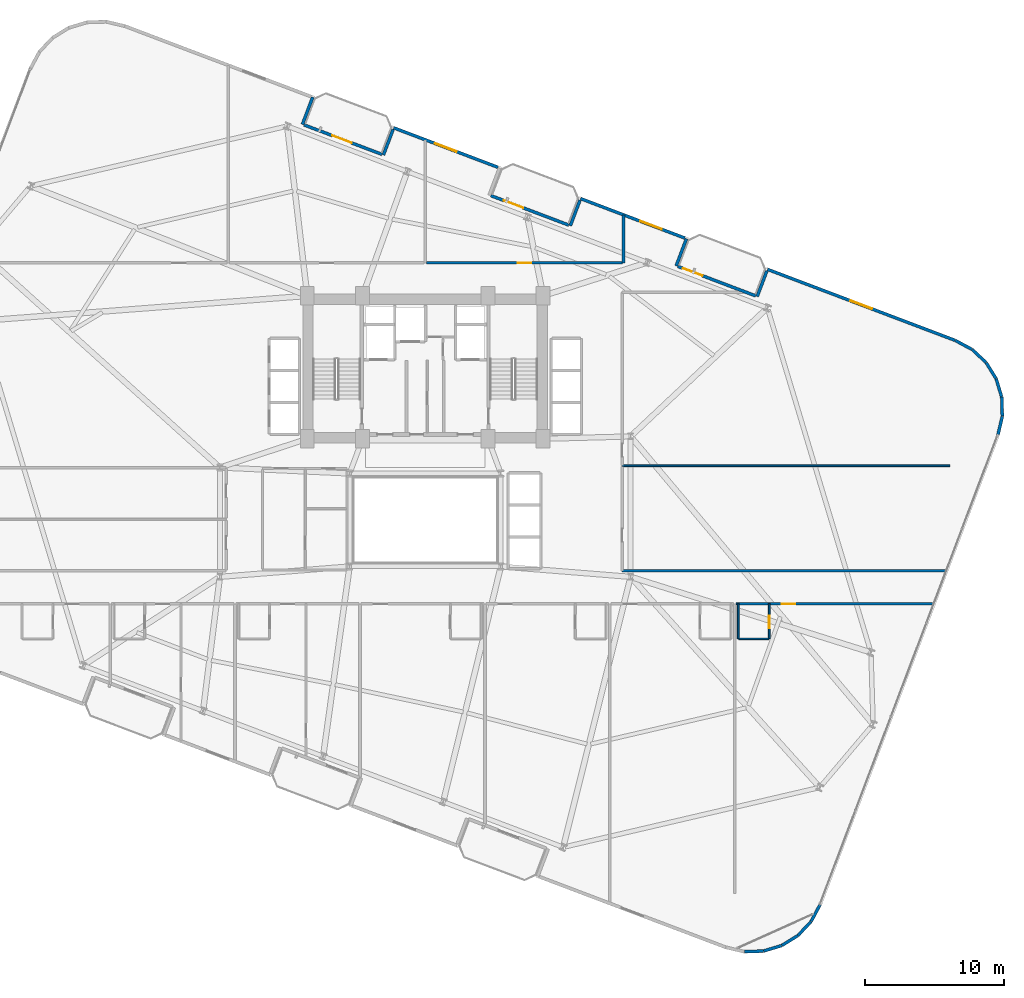
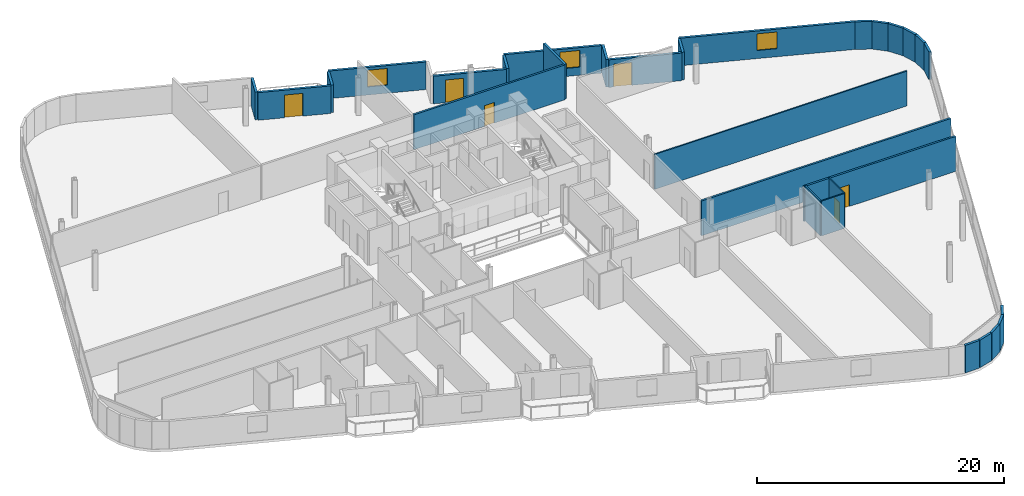
# One storey, part 21 of 25: 30 walls, 6 doors, 3 windows, 9 openings.
"""IFC4 building model written with IfcOpenShell, lengths in metres."""

from ifc_helpers import new_model, si_unit, direction, frame, frame_2d, origin, place, context, subcontext, project, spatial, rectangle, extrude, material, layer, layer_set, type_object, element, fill, save


model = new_model("IFC4")

# Units and contexts
model_context = context("Model", 3, precision=1e-05, world=origin(), true_north=direction((0.0, 1.0)))
body_context = subcontext(model_context, "Body", "Model", "MODEL_VIEW")
ifc_project = project(units=[si_unit("LENGTHUNIT", "METRE"), si_unit("AREAUNIT", "SQUARE_METRE"), si_unit("VOLUMEUNIT", "CUBIC_METRE"), si_unit("PLANEANGLEUNIT", "RADIAN"), si_unit("MASSUNIT", "GRAM", prefix="KILO")], contexts=[model_context])

# Site, building, storey
site_placement = place(None, origin())
site = spatial("IfcSite", under=ifc_project, at=site_placement, CompositionType="ELEMENT")
building_placement = place(site_placement, origin())
building = spatial("IfcBuilding", under=site, at=building_placement, Name="Varnelok Gate Tower", CompositionType="ELEMENT")
storey_placement = place(building_placement, frame((0.0, 0.0, 76.199951171875)))
storey = spatial("IfcBuildingStorey", under=building, at=storey_placement, Name="L18", CompositionType="ELEMENT", Elevation=76.199951171875)

# Wall, opening, door
ifc_material_1 = material(Name="Concrete C45/55", Category="concrete")
ifc_layer_1 = layer(ifc_material_1, 0.219970703125)
ifc_layer_set_1 = layer_set([ifc_layer_1], Name="Concrete C45/55")
wall_type_1 = type_object("IfcWallType", Name="EW-BALC-220", PredefinedType="SOLIDWALL", material=ifc_layer_set_1)
wall_1_placement = place(storey_placement, frame((30.465087890625, 51.37158203125, 0.0), z_axis=(0.0, 0.0, 1.0), x_axis=(0.935227640088, -0.354046976001, 0.0)))
wall_1 = element("IfcWall", 1, at=wall_1_placement, inside=storey, type_object=wall_type_1, Name="L18 North Terrace Envelope Wall 4", PredefinedType="SOLIDWALL", context=body_context, shape_type="SweptSolid", body=[
    extrude(rectangle(XDim=6.0, YDim=0.219970703125, at=frame_2d((3.0, 0.0))), origin(), (0.0, 0.0, 1.0), 2.72998046875),
])
opening_1_placement = place(wall_1_placement, frame((2.176025390625, 0.0, 0.0)))
opening_1 = element("IfcOpeningElement", 2, at=opening_1_placement, cuts=wall_1, Name="Opening BD-1", PredefinedType="OPENING", context=body_context, shape_type="SweptSolid", body=[
    extrude(rectangle(XDim=1.5, YDim=2.25, at=frame_2d((0.75, 1.125))), frame((0.0, 0.119873046875, 0.0), z_axis=(0.0, -1.0, 0.0), x_axis=(1.0, 0.0, 0.0)), (0.0, 0.0, 1.0), 0.239990234375),
])
ifc_material_2 = material(Name="Anodized Aluminum Alloy 6063-T6", Category="aluminium")
door_type_1 = type_object("IfcDoorType", Name="DR-EXT-BALC1500", OperationType="NOTDEFINED", PredefinedType="DOOR", material=ifc_material_2)
door_1_placement = place(opening_1_placement, origin())
door_1 = element("IfcDoor", 3, at=door_1_placement, inside=storey, type_object=door_type_1, Name="L18 North Balcony Glazed Door 4", OperationType="SINGLE_SWING_LEFT", OverallHeight=2.25, OverallWidth=1.5, PredefinedType="DOOR", context=body_context, shape_type="SweptSolid", body=[
    extrude(rectangle(XDim=1.5, YDim=2.25, at=frame_2d((0.75, 1.125))), frame((0.0, 0.02490234375, 0.0), z_axis=(0.0, -1.0, 0.0), x_axis=(1.0, 0.0, 0.0)), (0.0, 0.0, 1.0), 0.050048828125),
])
fill(opening_1, door_1)

wall_2_placement = place(storey_placement, frame((43.932373046875, 46.273193359375, 0.0), z_axis=(0.0, 0.0, 1.0), x_axis=(0.93521416643, -0.354082565101, 0.0)))
wall_2 = element("IfcWall", 4, at=wall_2_placement, inside=storey, type_object=wall_type_1, Name="L18 North Terrace Envelope Wall 5", PredefinedType="SOLIDWALL", context=body_context, shape_type="SweptSolid", body=[
    extrude(rectangle(XDim=6.0, YDim=0.219970703125, at=frame_2d((3.0, 0.0))), origin(), (0.0, 0.0, 1.0), 2.72998046875),
])
opening_2_placement = place(wall_2_placement, frame((0.991943359375, 0.0, 0.0)))
opening_2 = element("IfcOpeningElement", 5, at=opening_2_placement, cuts=wall_2, Name="Opening BD-1", PredefinedType="OPENING", context=body_context, shape_type="SweptSolid", body=[
    extrude(rectangle(XDim=1.5, YDim=2.25, at=frame_2d((0.75, 1.125))), frame((0.0, 0.119873046875, 0.0), z_axis=(0.0, -1.0, 0.0), x_axis=(1.0, 0.0, 0.0)), (0.0, 0.0, 1.0), 0.239990234375),
])
door_2_placement = place(opening_2_placement, origin())
door_2 = element("IfcDoor", 6, at=door_2_placement, inside=storey, type_object=door_type_1, Name="L18 North Balcony Glazed Door 5", OperationType="SINGLE_SWING_RIGHT", OverallHeight=2.25, OverallWidth=1.5, PredefinedType="DOOR", context=body_context, shape_type="SweptSolid", body=[
    extrude(rectangle(XDim=1.5, YDim=2.25, at=frame_2d((0.75, 1.125))), frame((0.0, 0.02490234375, 0.0), z_axis=(0.0, -1.0, 0.0), x_axis=(1.0, 0.0, 0.0)), (0.0, 0.0, 1.0), 0.050048828125),
])
fill(opening_2, door_2)

wall_3_placement = place(storey_placement, frame((57.3994140625, 41.174560546875, 0.0), z_axis=(0.0, 0.0, 1.0), x_axis=(0.935227640088, -0.354046976001, 0.0)))
wall_3 = element("IfcWall", 7, at=wall_3_placement, inside=storey, type_object=wall_type_1, Name="L18 North Terrace Envelope Wall 6", PredefinedType="SOLIDWALL", context=body_context, shape_type="SweptSolid", body=[
    extrude(rectangle(XDim=6.0, YDim=0.219970703125, at=frame_2d((3.0, 0.0))), origin(), (0.0, 0.0, 1.0), 2.72998046875),
])
opening_3_placement = place(wall_3_placement, frame((0.39990234375, 0.0, 0.0)))
opening_3 = element("IfcOpeningElement", 8, at=opening_3_placement, cuts=wall_3, Name="Opening BD-1", PredefinedType="OPENING", context=body_context, shape_type="SweptSolid", body=[
    extrude(rectangle(XDim=1.5, YDim=2.25, at=frame_2d((0.75, 1.125))), frame((0.0, 0.119873046875, 0.0), z_axis=(0.0, -1.0, 0.0), x_axis=(1.0, 0.0, 0.0)), (0.0, 0.0, 1.0), 0.239990234375),
])
door_3_placement = place(opening_3_placement, origin())
door_3 = element("IfcDoor", 9, at=door_3_placement, inside=storey, type_object=door_type_1, Name="L18 North Balcony Glazed Door 6", OperationType="SINGLE_SWING_LEFT", OverallHeight=2.25, OverallWidth=1.5, PredefinedType="DOOR", context=body_context, shape_type="SweptSolid", body=[
    extrude(rectangle(XDim=1.5, YDim=2.25, at=frame_2d((0.75, 1.125))), frame((0.0, 0.02490234375, 0.0), z_axis=(0.0, -1.0, 0.0), x_axis=(1.0, 0.0, 0.0)), (0.0, 0.0, 1.0), 0.050048828125),
])
fill(opening_3, door_3)

# Walls
wall_4_placement = place(storey_placement, frame((62.2158203125, -8.209228515625, 0.0), z_axis=(0.0, 0.0, 1.0), x_axis=(0.999523971993, 0.03085173271, 0.0)))
element("IfcWall", 10, at=wall_4_placement, inside=storey, type_object=wall_type_1, Name="L18 Perimeter Facade Closure Wall 18", PredefinedType="SOLIDWALL", context=body_context, shape_type="SweptSolid", body=[
    extrude(rectangle(XDim=1.353271484375, YDim=0.219970703125, at=frame_2d((0.6767578125, 0.0))), origin(), (0.0, 0.0, 1.0), 2.72998046875),
])
for number, where, z_axis, x_axis, name in (
    (11, (63.59228515625, -8.160400390625, 0.0), (0.0, 0.0, 1.0), (0.957532798303, 0.28832436625, 0.0), "L18 Perimeter Facade Closure Wall 19"),
    (12, (64.9091796875, -7.757080078125, 0.0), (0.0, 0.0, 1.0), (0.850180541217, 0.526491260456, 0.0), "L18 Perimeter Facade Closure Wall 20"),
):
    element("IfcWall", number, at=place(storey_placement, frame(where, z_axis=z_axis, x_axis=x_axis)), inside=storey, type_object=wall_type_1, Name=name, PredefinedType="SOLIDWALL", context=body_context, shape_type="SweptSolid", body=[
        extrude(rectangle(XDim=1.35302734375, YDim=0.219970703125, at=frame_2d((0.676513671875, 0.0))), origin(), (0.0, 0.0, 1.0), 2.72998046875),
    ])
wall_5_placement = place(storey_placement, frame((66.07666015625, -7.026611328125, 0.0), z_axis=(0.0, 0.0, 1.0), x_axis=(0.685032599484, 0.7285124142, 0.0)))
element("IfcWall", 13, at=wall_5_placement, inside=storey, type_object=wall_type_1, Name="L18 Perimeter Facade Closure Wall 21", PredefinedType="SOLIDWALL", context=body_context, shape_type="SweptSolid", body=[
    extrude(rectangle(XDim=1.353271484375, YDim=0.219970703125, at=frame_2d((0.6767578125, 0.0))), origin(), (0.0, 0.0, 1.0), 2.72998046875),
])
wall_6_placement = place(storey_placement, frame((67.015380859375, -6.018798828125, 0.0), z_axis=(0.0, 0.0, 1.0), x_axis=(0.473077364598, 0.881020889142, 0.0)))
element("IfcWall", 14, at=wall_6_placement, inside=storey, type_object=wall_type_1, Name="L18 Perimeter Facade Closure Wall 22", PredefinedType="SOLIDWALL", context=body_context, shape_type="SweptSolid", body=[
    extrude(rectangle(XDim=1.35302734375, YDim=0.219970703125, at=frame_2d((0.676513671875, 0.0))), origin(), (0.0, 0.0, 1.0), 2.72998046875),
])
wall_7_placement = place(storey_placement, frame((80.47265625, 29.0283203125, 0.0), z_axis=(0.0, 0.0, 1.0), x_axis=(0.228881345311, 0.973454328548, 0.0)))
element("IfcWall", 15, at=wall_7_placement, inside=storey, type_object=wall_type_1, Name="L18 Perimeter Facade Closure Wall 23", PredefinedType="SOLIDWALL", context=body_context, shape_type="SweptSolid", body=[
    extrude(rectangle(XDim=1.378173828125, YDim=0.219970703125, at=frame_2d((0.68896484375, 0.0))), origin(), (0.0, 0.0, 1.0), 2.72998046875),
])
for number, where, z_axis, x_axis, name in (
    (16, (80.787353515625, 30.39501953125, 0.0), (0.0, 0.0, 1.0), (-0.030857297317, 0.999523800218, 0.0), "L18 Perimeter Facade Closure Wall 24"),
    (17, (80.738525390625, 31.771240234375, 0.0), (0.0, 0.0, 1.0), (-0.28832436625, 0.957532798303, 0.0), "L18 Perimeter Facade Closure Wall 25"),
    (18, (80.335205078125, 33.088134765625, 0.0), (0.0, 0.0, 1.0), (-0.526491260456, 0.850180541217, 0.0), "L18 Perimeter Facade Closure Wall 26"),
    (19, (79.6044921875, 34.255615234375, 0.0), (0.0, 0.0, 1.0), (-0.72842773461, 0.685122642634, 0.0), "L18 Perimeter Facade Closure Wall 27"),
):
    element("IfcWall", number, at=place(storey_placement, frame(where, z_axis=z_axis, x_axis=x_axis)), inside=storey, type_object=wall_type_1, Name=name, PredefinedType="SOLIDWALL", context=body_context, shape_type="SweptSolid", body=[
        extrude(rectangle(XDim=1.35302734375, YDim=0.219970703125, at=frame_2d((0.676513671875, 0.0))), origin(), (0.0, 0.0, 1.0), 2.72998046875),
    ])
wall_8_placement = place(storey_placement, frame((78.5966796875, 35.1943359375, 0.0), z_axis=(0.0, 0.0, 1.0), x_axis=(-0.880948732004, 0.473211719614, 0.0)))
element("IfcWall", 20, at=wall_8_placement, inside=storey, type_object=wall_type_1, Name="L18 Perimeter Facade Closure Wall 28", PredefinedType="SOLIDWALL", context=body_context, shape_type="SweptSolid", body=[
    extrude(rectangle(XDim=1.361083984375, YDim=0.219970703125, at=frame_2d((0.6806640625, 0.0))), origin(), (0.0, 0.0, 1.0), 2.72998046875),
])

# Wall, opening, window
wall_9_placement = place(storey_placement, frame((77.37451171875, 35.84716796875, 0.0), z_axis=(0.0, 0.0, 1.0), x_axis=(-0.935222448475, 0.354060689526, 0.0)))
wall_9 = element("IfcWall", 21, at=wall_9_placement, inside=storey, type_object=wall_type_1, Name="L18 Perimeter Facade Closure Wall 29", PredefinedType="SOLIDWALL", context=body_context, shape_type="SweptSolid", body=[
    extrude(rectangle(XDim=14.447265625, YDim=0.219970703125, at=frame_2d((7.2236328125, 0.0))), origin(), (0.0, 0.0, 1.0), 2.72998046875),
])
opening_4_placement = place(wall_9_placement, frame((6.398681640625, 0.0, 0.800048828125)))
opening_4 = element("IfcOpeningElement", 22, at=opening_4_placement, cuts=wall_9, Name="Opening WN3", PredefinedType="OPENING", context=body_context, shape_type="SweptSolid", body=[
    extrude(rectangle(XDim=1.64990234375, YDim=1.64990234375, at=frame_2d((0.824951171875, 0.824951171875))), frame((0.0, 0.119873046875, 0.0), z_axis=(0.0, -1.0, 0.0), x_axis=(1.0, 0.0, 0.0)), (0.0, 0.0, 1.0), 0.239990234375),
])
ifc_material_3 = material(Name="Low-E Laminated Double Glazing IGU", Category="glass")
window_type = type_object("IfcWindowType", Name="WN-HTL-1650", PartitioningType="SINGLE_PANEL", PredefinedType="WINDOW", material=ifc_material_3)
window_1_placement = place(opening_4_placement, origin())
window_1 = element("IfcWindow", 23, at=window_1_placement, inside=storey, type_object=window_type, Name="L18 Perimeter Vision Window 29", OverallHeight=1.64990234375, OverallWidth=1.64990234375, PartitioningType="SINGLE_PANEL", PredefinedType="WINDOW", context=body_context, shape_type="SweptSolid", body=[
    extrude(rectangle(XDim=1.64990234375, YDim=1.64990234375, at=frame_2d((0.824951171875, 0.824951171875))), frame((0.0, 0.030029296875, 0.0), z_axis=(0.0, -1.0, 0.0), x_axis=(1.0, 0.0, 0.0)), (0.0, 0.0, 1.0), 0.06005859375),
])
fill(opening_4, window_1)

# Walls
wall_10_placement = place(storey_placement, frame((63.81884765625, 40.845458984375, 0.0), z_axis=(0.0, 0.0, 1.0), x_axis=(-0.354128791944, -0.935196663123, 0.0)))
element("IfcWall", 24, at=wall_10_placement, inside=storey, type_object=wall_type_1, Name="L18 Perimeter Facade Closure Wall 30", PredefinedType="SOLIDWALL", context=body_context, shape_type="SweptSolid", body=[
    extrude(rectangle(XDim=1.97509765625, YDim=0.219970703125, at=frame_2d((0.987548828125, 0.0))), origin(), (0.0, 0.0, 1.0), 2.72998046875),
])
wall_11_placement = place(storey_placement, frame((57.28369140625, 41.207763671875, 0.0), z_axis=(0.0, 0.0, 1.0), x_axis=(0.354128469405, 0.935196785258, 0.0)))
element("IfcWall", 25, at=wall_11_placement, inside=storey, type_object=wall_type_1, Name="L18 Perimeter Facade Closure Wall 31", PredefinedType="SOLIDWALL", context=body_context, shape_type="SweptSolid", body=[
    extrude(rectangle(XDim=2.099853515625, YDim=0.219970703125, at=frame_2d((1.0498046875, 0.0))), origin(), (0.0, 0.0, 1.0), 2.72998046875),
])

# Wall, opening, window
wall_12_placement = place(storey_placement, frame((57.910400390625, 43.2158203125, 0.0), z_axis=(0.0, 0.0, 1.0), x_axis=(-0.935220736163, 0.354065212427, 0.0)))
wall_12 = element("IfcWall", 26, at=wall_12_placement, inside=storey, type_object=wall_type_1, Name="L18 Perimeter Facade Closure Wall 32", PredefinedType="SOLIDWALL", context=body_context, shape_type="SweptSolid", body=[
    extrude(rectangle(XDim=8.03515625, YDim=0.219970703125, at=frame_2d((4.017578125, 0.0))), origin(), (0.0, 0.0, 1.0), 2.72998046875),
])
opening_5_placement = place(wall_12_placement, frame((1.787841796875, 0.0, 0.800048828125)))
opening_5 = element("IfcOpeningElement", 27, at=opening_5_placement, cuts=wall_12, Name="Opening WN3", PredefinedType="OPENING", context=body_context, shape_type="SweptSolid", body=[
    extrude(rectangle(XDim=1.64990234375, YDim=1.64990234375, at=frame_2d((0.824951171875, 0.824951171875))), frame((0.0, 0.119873046875, 0.0), z_axis=(0.0, -1.0, 0.0), x_axis=(1.0, 0.0, 0.0)), (0.0, 0.0, 1.0), 0.239990234375),
])
window_2_placement = place(opening_5_placement, origin())
window_2 = element("IfcWindow", 28, at=window_2_placement, inside=storey, type_object=window_type, Name="L18 Perimeter Vision Window 32", OverallHeight=1.64990234375, OverallWidth=1.64990234375, PartitioningType="SINGLE_PANEL", PredefinedType="WINDOW", context=body_context, shape_type="SweptSolid", body=[
    extrude(rectangle(XDim=1.64990234375, YDim=1.64990234375, at=frame_2d((0.824951171875, 0.824951171875))), frame((0.0, 0.030029296875, 0.0), z_axis=(0.0, -1.0, 0.0), x_axis=(1.0, 0.0, 0.0)), (0.0, 0.0, 1.0), 0.06005859375),
])
fill(opening_5, window_2)

# Wall
wall_13_placement = place(storey_placement, frame((50.3515625, 45.94384765625, 0.0), z_axis=(0.0, 0.0, 1.0), x_axis=(-0.354061611705, -0.935222099352, 0.0)))
element("IfcWall", 29, at=wall_13_placement, inside=storey, type_object=wall_type_1, Name="L18 Perimeter Facade Closure Wall 33", PredefinedType="SOLIDWALL", context=body_context, shape_type="SweptSolid", body=[
    extrude(rectangle(XDim=1.974853515625, YDim=0.219970703125, at=frame_2d((0.9873046875, 0.0))), origin(), (0.0, 0.0, 1.0), 2.72998046875),
])

# Wall, opening, window
wall_14_placement = place(storey_placement, frame((44.443115234375, 48.314453125, 0.0), z_axis=(0.0, 0.0, 1.0), x_axis=(-0.935226988293, 0.354048697735, 0.0)))
wall_14 = element("IfcWall", 30, at=wall_14_placement, inside=storey, type_object=wall_type_1, Name="L18 Perimeter Facade Closure Wall 35", PredefinedType="SOLIDWALL", context=body_context, shape_type="SweptSolid", body=[
    extrude(rectangle(XDim=8.034912109375, YDim=0.219970703125, at=frame_2d((4.017578125, 0.0))), origin(), (0.0, 0.0, 1.0), 2.72998046875),
])
opening_6_placement = place(wall_14_placement, frame((3.1923828125, 0.0, 0.800048828125)))
opening_6 = element("IfcOpeningElement", 31, at=opening_6_placement, cuts=wall_14, Name="Opening WN3", PredefinedType="OPENING", context=body_context, shape_type="SweptSolid", body=[
    extrude(rectangle(XDim=1.64990234375, YDim=1.64990234375, at=frame_2d((0.824951171875, 0.824951171875))), frame((0.0, 0.119873046875, 0.0), z_axis=(0.0, -1.0, 0.0), x_axis=(1.0, 0.0, 0.0)), (0.0, 0.0, 1.0), 0.239990234375),
])
window_3_placement = place(opening_6_placement, origin())
window_3 = element("IfcWindow", 32, at=window_3_placement, inside=storey, type_object=window_type, Name="L18 Perimeter Vision Window 35", OverallHeight=1.64990234375, OverallWidth=1.64990234375, PartitioningType="SINGLE_PANEL", PredefinedType="WINDOW", context=body_context, shape_type="SweptSolid", body=[
    extrude(rectangle(XDim=1.64990234375, YDim=1.64990234375, at=frame_2d((0.824951171875, 0.824951171875))), frame((0.0, 0.030029296875, 0.0), z_axis=(0.0, -1.0, 0.0), x_axis=(1.0, 0.0, 0.0)), (0.0, 0.0, 1.0), 0.06005859375),
])
fill(opening_6, window_3)

# Walls
wall_15_placement = place(storey_placement, frame((36.884521484375, 51.04248046875, 0.0), z_axis=(0.0, 0.0, 1.0), x_axis=(-0.354128791944, -0.935196663123, 0.0)))
element("IfcWall", 33, at=wall_15_placement, inside=storey, type_object=wall_type_1, Name="L18 Perimeter Facade Closure Wall 36", PredefinedType="SOLIDWALL", context=body_context, shape_type="SweptSolid", body=[
    extrude(rectangle(XDim=1.97509765625, YDim=0.219970703125, at=frame_2d((0.987548828125, 0.0))), origin(), (0.0, 0.0, 1.0), 2.72998046875),
])
wall_16_placement = place(storey_placement, frame((30.349365234375, 51.40478515625, 0.0), z_axis=(0.0, 0.0, 1.0), x_axis=(0.354128469405, 0.935196785258, 0.0)))
element("IfcWall", 34, at=wall_16_placement, inside=storey, type_object=wall_type_1, Name="L18 Perimeter Facade Closure Wall 37", PredefinedType="SOLIDWALL", context=body_context, shape_type="SweptSolid", body=[
    extrude(rectangle(XDim=2.099853515625, YDim=0.219970703125, at=frame_2d((1.0498046875, 0.0))), origin(), (0.0, 0.0, 1.0), 2.72998046875),
])

# Wall, opening, door
ifc_material_4 = material(Name="Gypsum Plasterboard Acoustic Partition", Category="gypsum")
ifc_layer_2 = layer(ifc_material_4, 0.179931640625)
ifc_layer_set_2 = layer_set([ifc_layer_2], Name="Gypsum Plasterboard Acoustic Partition")
wall_type_2 = type_object("IfcWallType", Name="PW-CORR-180", PredefinedType="PARTITIONING", material=ifc_layer_set_2)
wall_17_placement = place(storey_placement, frame((61.580078125, 16.85009765625, 0.0), z_axis=(0.0, 0.0, 1.0), x_axis=(1.0, 0.0, 0.0)))
wall_17 = element("IfcWall", 35, at=wall_17_placement, inside=storey, type_object=wall_type_2, Name="Interior Partition", PredefinedType="PARTITIONING", context=body_context, shape_type="SweptSolid", body=[
    extrude(rectangle(XDim=14.2216796875, YDim=0.179931640625, at=frame_2d((7.11083984375, 0.0))), origin(), (0.0, 0.0, 1.0), 3.449951171875),
])
opening_7_placement = place(wall_17_placement, frame((3.32470703125, 0.0, 0.0)))
opening_7 = element("IfcOpeningElement", 36, at=opening_7_placement, cuts=wall_17, Name="Opening D-HT", PredefinedType="OPENING", context=body_context, shape_type="SweptSolid", body=[
    extrude(rectangle(XDim=0.949951171875, YDim=2.14990234375, at=frame_2d((0.47509765625, 1.074951171875))), frame((0.0, 0.099853515625, 0.0), z_axis=(0.0, -1.0, 0.0), x_axis=(1.0, 0.0, 0.0)), (0.0, 0.0, 1.0), 0.199951171875),
])
ifc_material_5 = material(Name="Engineered Hardwood Timber", Category="wood")
door_type_2 = type_object("IfcDoorType", Name="DR-HTL-950", OperationType="NOTDEFINED", PredefinedType="DOOR", material=ifc_material_5)
door_4_placement = place(opening_7_placement, origin())
door_4 = element("IfcDoor", 37, at=door_4_placement, inside=storey, type_object=door_type_2, Name="L18 Guest Room 07 Entrance Door", OperationType="SINGLE_SWING_RIGHT", OverallHeight=2.14990234375, OverallWidth=0.949951171875, PredefinedType="DOOR", context=body_context, shape_type="SweptSolid", body=[
    extrude(rectangle(XDim=0.949951171875, YDim=2.14990234375, at=frame_2d((0.47509765625, 1.074951171875))), frame((0.0, 0.02490234375, 0.0), z_axis=(0.0, -1.0, 0.0), x_axis=(1.0, 0.0, 0.0)), (0.0, 0.0, 1.0), 0.050048828125),
])
fill(opening_7, door_4)

wall_18_placement = place(storey_placement, frame((39.280029296875, 41.429931640625, 0.0), z_axis=(0.0, 0.0, 1.0), x_axis=(1.0, 0.0, 0.0)))
wall_18 = element("IfcWall", 38, at=wall_18_placement, inside=storey, type_object=wall_type_2, Name="Interior Partition", PredefinedType="PARTITIONING", context=body_context, shape_type="SweptSolid", body=[
    extrude(rectangle(XDim=14.139892578125, YDim=0.179931640625, at=frame_2d((7.06982421875, 0.0))), origin(), (0.0, 0.0, 1.0), 3.449951171875),
])
opening_8_placement = place(wall_18_placement, frame((6.594970703125, 0.0, 0.0)))
opening_8 = element("IfcOpeningElement", 39, at=opening_8_placement, cuts=wall_18, Name="Opening D-I2", PredefinedType="OPENING", context=body_context, shape_type="SweptSolid", body=[
    extrude(rectangle(XDim=0.949951171875, YDim=2.050048828125, at=frame_2d((0.47509765625, 1.02490234375))), frame((0.0, 0.099853515625, 0.0), z_axis=(0.0, -1.0, 0.0), x_axis=(1.0, 0.0, 0.0)), (0.0, 0.0, 1.0), 0.199951171875),
])
door_type_3 = type_object("IfcDoorType", Name="DR-INT-950", OperationType="NOTDEFINED", PredefinedType="DOOR", material=ifc_material_5)
door_5_placement = place(opening_8_placement, origin())
door_5 = element("IfcDoor", 40, at=door_5_placement, inside=storey, type_object=door_type_3, Name="L18 Wellness Spa Lounge Door", OperationType="SINGLE_SWING_LEFT", OverallHeight=2.050048828125, OverallWidth=0.949951171875, PredefinedType="DOOR", context=body_context, shape_type="SweptSolid", body=[
    extrude(rectangle(XDim=0.949951171875, YDim=2.050048828125, at=frame_2d((0.47509765625, 1.02490234375))), frame((0.0, 0.02490234375, 0.0), z_axis=(0.0, -1.0, 0.0), x_axis=(1.0, 0.0, 0.0)), (0.0, 0.0, 1.0), 0.050048828125),
])
fill(opening_8, door_5)

# Walls
wall_19_placement = place(storey_placement, frame((53.389892578125, 19.239990234375, 0.0), z_axis=(0.0, 0.0, 1.0), x_axis=(1.0, 0.0, 0.0)))
element("IfcWall", 41, at=wall_19_placement, inside=storey, type_object=wall_type_2, Name="Interior Partition", PredefinedType="PARTITIONING", context=body_context, shape_type="SweptSolid", body=[
    extrude(rectangle(XDim=23.316650390625, YDim=0.179931640625, at=frame_2d((11.658203125, 0.0))), origin(), (0.0, 0.0, 1.0), 3.449951171875),
])
ifc_layer_3 = layer(ifc_material_4, 0.114990234375)
ifc_layer_set_3 = layer_set([ifc_layer_3], Name="Gypsum Plasterboard Acoustic Partition")
wall_type_3 = type_object("IfcWallType", Name="PW-ENS-125", PredefinedType="PARTITIONING", material=ifc_layer_set_3)
wall_20_placement = place(storey_placement, frame((61.800048828125, 14.330078125, 0.0), z_axis=(0.0, 0.0, 1.0), x_axis=(1.0, 0.0, 0.0)))
element("IfcWall", 42, at=wall_20_placement, inside=storey, type_object=wall_type_3, Name="Interior Partition", PredefinedType="PARTITIONING", context=body_context, shape_type="SweptSolid", body=[
    extrude(rectangle(XDim=2.14990234375, YDim=0.114990234375, at=frame_2d((1.074951171875, 0.0))), origin(), (0.0, 0.0, 1.0), 3.449951171875),
])

# Wall, opening, door
wall_21_placement = place(storey_placement, frame((63.989990234375, 14.330078125, 0.0), z_axis=(0.0, 0.0, 1.0), x_axis=(0.0, 1.0, 0.0)))
wall_21 = element("IfcWall", 43, at=wall_21_placement, inside=storey, type_object=wall_type_3, Name="Interior Partition", PredefinedType="PARTITIONING", context=body_context, shape_type="SweptSolid", body=[
    extrude(rectangle(XDim=2.52001953125, YDim=0.114990234375, at=frame_2d((1.260009765625, 0.0))), origin(), (0.0, 0.0, 1.0), 3.449951171875),
])
opening_9_placement = place(wall_21_placement, frame((0.760009765625, 0.0, 0.0)))
opening_9 = element("IfcOpeningElement", 44, at=opening_9_placement, cuts=wall_21, Name="Opening D-WC", PredefinedType="OPENING", context=body_context, shape_type="SweptSolid", body=[
    extrude(rectangle(XDim=0.89990234375, YDim=2.050048828125, at=frame_2d((0.449951171875, 1.02490234375))), frame((0.0, 0.0673828125, 0.0), z_axis=(0.0, -1.0, 0.0), x_axis=(1.0, 0.0, 0.0)), (0.0, 0.0, 1.0), 0.135009765625),
])
door_type_4 = type_object("IfcDoorType", Name="DR-BATH-900", OperationType="NOTDEFINED", PredefinedType="DOOR", material=ifc_material_5)
door_6_placement = place(opening_9_placement, origin())
door_6 = element("IfcDoor", 45, at=door_6_placement, inside=storey, type_object=door_type_4, Name="L18 Guest En-Suite 07 Door", OperationType="SINGLE_SWING_LEFT", OverallHeight=2.050048828125, OverallWidth=0.89990234375, PredefinedType="DOOR", context=body_context, shape_type="SweptSolid", body=[
    extrude(rectangle(XDim=0.89990234375, YDim=2.050048828125, at=frame_2d((0.449951171875, 1.02490234375))), frame((0.0, 0.02490234375, 0.0), z_axis=(0.0, -1.0, 0.0), x_axis=(1.0, 0.0, 0.0)), (0.0, 0.0, 1.0), 0.050048828125),
])
fill(opening_9, door_6)

# Walls
wall_22_placement = place(storey_placement, frame((61.760009765625, 14.330078125, 0.0), z_axis=(0.0, 0.0, 1.0), x_axis=(0.0, 1.0, 0.0)))
element("IfcWall", 46, at=wall_22_placement, inside=storey, type_object=wall_type_3, Name="Interior Partition", PredefinedType="PARTITIONING", context=body_context, shape_type="SweptSolid", body=[
    extrude(rectangle(XDim=2.52001953125, YDim=0.114990234375, at=frame_2d((1.260009765625, 0.0))), origin(), (0.0, 0.0, 1.0), 3.449951171875),
])
ifc_layer_4 = layer(ifc_material_4, 0.125)
ifc_layer_set_4 = layer_set([ifc_layer_4], Name="Gypsum Plasterboard Acoustic Partition")
wall_type_4 = type_object("IfcWallType", Name="PW-PART-125", PredefinedType="PARTITIONING", material=ifc_layer_set_4)
wall_23_placement = place(storey_placement, frame((53.389892578125, 26.800048828125, 0.0), z_axis=(0.0, 0.0, 1.0), x_axis=(1.0, 0.0, 0.0)))
element("IfcWall", 47, at=wall_23_placement, inside=storey, type_object=wall_type_4, Name="Interior Partition", PredefinedType="PARTITIONING", context=body_context, shape_type="SweptSolid", body=[
    extrude(rectangle(XDim=23.610107421875, YDim=0.125, at=frame_2d((11.80517578125, 0.0))), origin(), (0.0, 0.0, 1.0), 3.449951171875),
])
ifc_layer_5 = layer(ifc_material_4, 0.205078125)
ifc_layer_set_5 = layer_set([ifc_layer_5], Name="Gypsum Plasterboard Acoustic Partition")
wall_type_5 = type_object("IfcWallType", Name="PW-PARTY-200", PredefinedType="PARTITIONING", material=ifc_layer_set_5)
wall_24_placement = place(storey_placement, frame((53.5, 41.429931640625, 0.0), z_axis=(0.0, 0.0, 1.0), x_axis=(0.0, 1.0, 0.0)))
element("IfcWall", 48, at=wall_24_placement, inside=storey, type_object=wall_type_5, Name="L18 North Party Wall 3", PredefinedType="PARTITIONING", context=body_context, shape_type="SweptSolid", body=[
    extrude(rectangle(XDim=3.434326171875, YDim=0.205078125, at=frame_2d((1.71728515625, 0.0))), origin(), (0.0, 0.0, 1.0), 3.449951171875),
])

save(model, "model.ifc")
